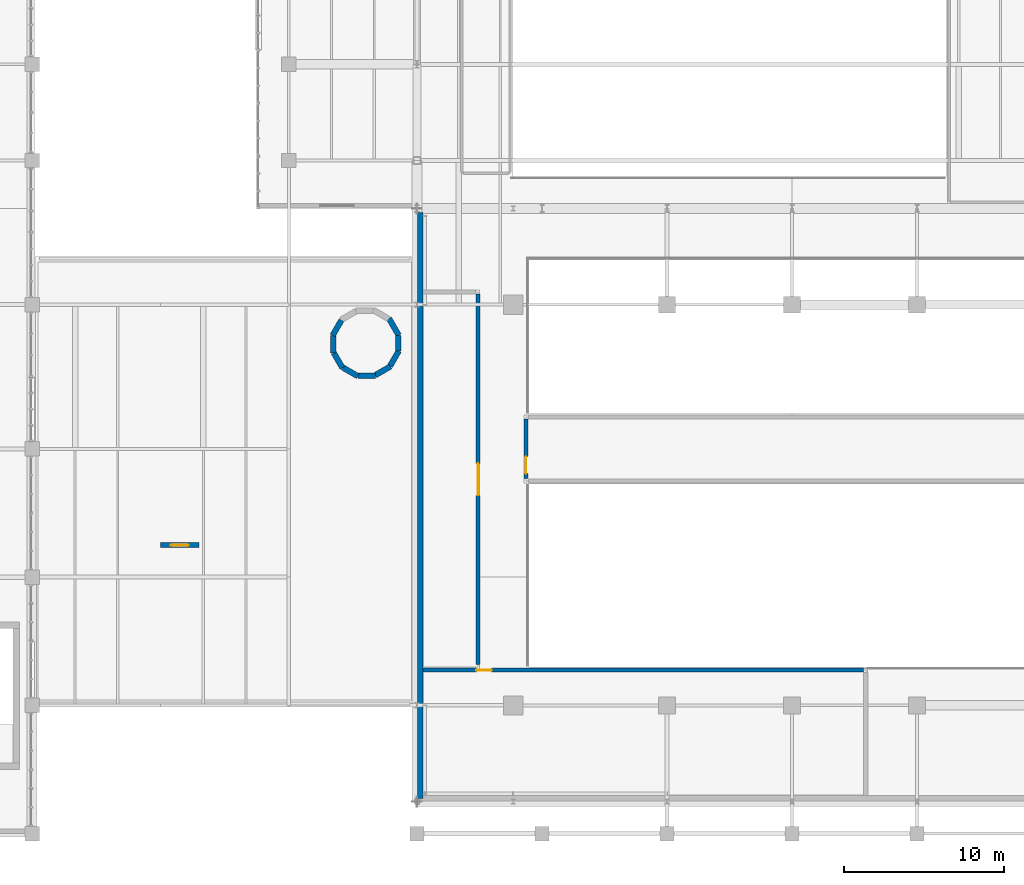
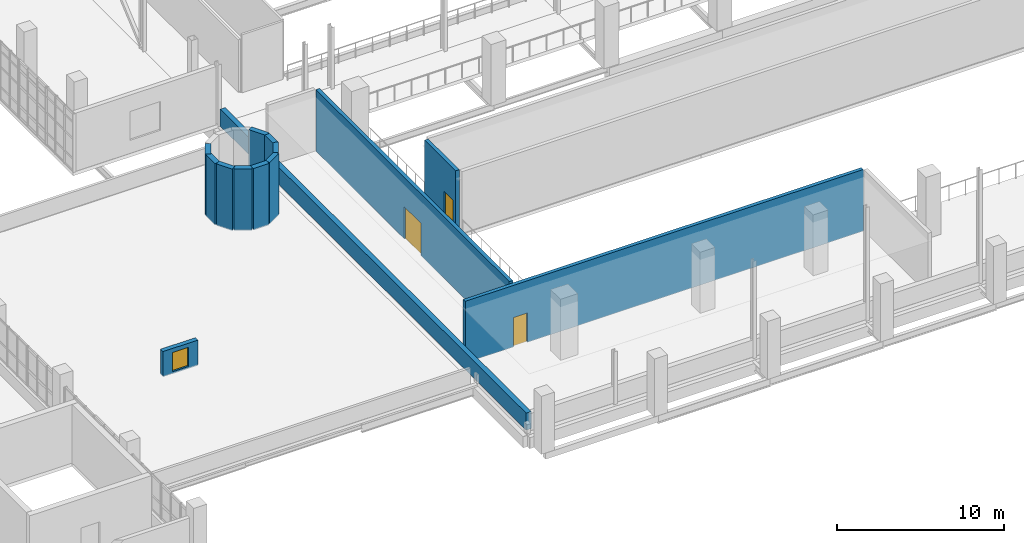
# One storey, part 74 of 85: 14 walls, 4 doors, 4 openings.
"""IFC4 building model written with IfcOpenShell, lengths in metres."""

import ifcopenshell
import ifcopenshell.guid

model = None  # the IFC model being written
_history = None  # IfcOwnerHistory: only IFC2X3 demands one
_inside = {}  # id of a spatial element -> (the spatial element, [elements in it])
_under = {}  # id of a project, library or spatial element -> (it, [spatial elements below it])
_declared = {}  # id of a project -> (the project, [libraries it declares])
_typed = {}  # id of a type object -> (the type object, [elements of that type])
_made_of = {}  # id of a material, layer set ... -> (it, [elements and type objects made of it])


def new_model(schema):
    """Start an empty IFC model of exactly this schema.

    Asked for "IFC4X3", IfcOpenShell would pick the latest addendum, in which some entities
    have other attributes; the version numbers below select the first issue.
    IFC2X3 requires an IfcOwnerHistory on every rooted entity: one is made here for all.
    """
    global model, _history
    if schema == "IFC4X3":
        model = ifcopenshell.file(schema_version=(4, 3, 0, 0))
    else:
        model = ifcopenshell.file(schema=schema)
    _inside.clear()
    _under.clear()
    _declared.clear()
    _typed.clear()
    _made_of.clear()
    _history = None
    if model.schema == "IFC2X3":
        org = make("IfcOrganization", Name="unknown")
        user = make(
            "IfcPersonAndOrganization",
            ThePerson=make("IfcPerson", FamilyName="unknown"),
            TheOrganization=org,
        )
        app = make(
            "IfcApplication",
            ApplicationDeveloper=org,
            Version="unknown",
            ApplicationFullName="unknown",
            ApplicationIdentifier="unknown",
        )
        _history = make(
            "IfcOwnerHistory",
            OwningUser=user,
            OwningApplication=app,
            ChangeAction="ADDED",
            CreationDate=0,
        )
    return model


def make(cls, **values):
    """One entity of the class cls with the attributes given. An attribute that is None is left unset."""
    return model.create_entity(
        cls, **{name: value for name, value in values.items() if value is not None}
    )


def rooted(cls, **values):
    """An entity with a GlobalId (a new one), such as an element, a storey or a relation."""
    return make(cls, GlobalId=ifcopenshell.guid.new(), OwnerHistory=_history, **values)


def si_unit(unit_type, name, prefix=None):
    """IfcSIUnit, for example si_unit("LENGTHUNIT", "METRE", prefix="MILLI")."""
    return make("IfcSIUnit", UnitType=unit_type, Prefix=prefix, Name=name)


def derived_unit(unit_type, elements):
    """IfcDerivedUnit: a product of units, each with its exponent."""
    return make(
        "IfcDerivedUnit",
        Elements=[
            make("IfcDerivedUnitElement", Unit=unit, Exponent=power)
            for unit, power in elements
        ],
        UnitType=unit_type,
    )


def assignment(units):
    """IfcUnitAssignment: the units of a project."""
    return None if units is None else make("IfcUnitAssignment", Units=units)


def point(xyz):
    """IfcCartesianPoint."""
    return None if xyz is None else make("IfcCartesianPoint", Coordinates=xyz)


def direction(xyz):
    """IfcDirection."""
    return None if xyz is None else make("IfcDirection", DirectionRatios=xyz)


def frame(location, z_axis=None, x_axis=None):
    """IfcAxis2Placement3D, a coordinate frame: its origin and axes. An axis left out is left unset."""
    return make(
        "IfcAxis2Placement3D",
        Location=point(location),
        Axis=direction(z_axis),
        RefDirection=direction(x_axis),
    )


def frame_2d(location, x_axis=None):
    """IfcAxis2Placement2D, a coordinate frame in the plane: its origin and x axis."""
    return make(
        "IfcAxis2Placement2D", Location=point(location), RefDirection=direction(x_axis)
    )


def origin():
    """The frame at (0, 0, 0) with its axes left unset."""
    return frame((0.0, 0.0, 0.0))


def place(relative_to, where):
    """IfcLocalPlacement: puts the frame where relative to a parent placement (None: the world)."""
    return make(
        "IfcLocalPlacement", PlacementRelTo=relative_to, RelativePlacement=where
    )


def context(
    kind, dimensions, precision=None, world=None, true_north=None, identifier=None
):
    """IfcGeometricRepresentationContext, for example the 3D "Model" context."""
    return make(
        "IfcGeometricRepresentationContext",
        ContextIdentifier=identifier,
        ContextType=kind,
        CoordinateSpaceDimension=dimensions,
        Precision=precision,
        WorldCoordinateSystem=world,
        TrueNorth=true_north,
    )


def subcontext(parent, identifier, kind, view, scale=None):
    """IfcGeometricRepresentationSubContext, for example "Body" below "Model"."""
    return make(
        "IfcGeometricRepresentationSubContext",
        ContextIdentifier=identifier,
        ContextType=kind,
        ParentContext=parent,
        TargetScale=scale,
        TargetView=view,
    )


def project(units=None, contexts=None):
    """IfcProject with its units and contexts."""
    return rooted(
        "IfcProject",
        Name="project",
        RepresentationContexts=contexts,
        UnitsInContext=assignment(units),
    )


def spatial(cls, under=None, at=None, **own):
    """A site, building, storey or space (cls), placed at a placement, below another one or the project."""
    s = rooted(cls, ObjectPlacement=at, **own)
    if under is not None:
        _under.setdefault(under.id(), (under, []))[1].append(s)
    return s


def profile(cls, at=None, kind="AREA", **sizes):
    """A parametric profile (cls). Its sizes go by their IFC names, for example OverallWidth=200.0."""
    return make(cls, ProfileType=kind, Position=at, **sizes)


def rectangle(**sizes):
    """IfcRectangleProfileDef."""
    return profile("IfcRectangleProfileDef", **sizes)


def extrude(swept, where, along, depth):
    """IfcExtrudedAreaSolid: the profile swept, set in the frame where, extruded along a direction by depth."""
    return make(
        "IfcExtrudedAreaSolid",
        SweptArea=swept,
        Position=where,
        ExtrudedDirection=direction(along),
        Depth=depth,
    )


def shape(context_of_items, identifier, shape_type, items):
    """IfcShapeRepresentation: the items that make up one representation, for example the "Body"."""
    return make(
        "IfcShapeRepresentation",
        ContextOfItems=context_of_items,
        RepresentationIdentifier=identifier,
        RepresentationType=shape_type,
        Items=items,
    )


def material(Name=None, Category=None):
    """IfcMaterial."""
    return make("IfcMaterial", Name=Name, Category=Category)


def layer(
    of_material, thickness, ventilated=None, Name=None, Category=None, Priority=None
):
    """IfcMaterialLayer: one layer of a wall or slab, of a material (None: an air gap)."""
    return make(
        "IfcMaterialLayer",
        Material=of_material,
        LayerThickness=thickness,
        IsVentilated=ventilated,
        Name=Name,
        Category=Category,
        Priority=Priority,
    )


def layer_set(layers, Name=None):
    """IfcMaterialLayerSet."""
    return make("IfcMaterialLayerSet", MaterialLayers=layers, LayerSetName=Name)


def made_of(thing, what):
    """Note that an element or type object is made of a material, layer set ...; save() writes the relation."""
    if what is not None:
        _made_of.setdefault(what.id(), (what, []))[1].append(thing)
    return thing


def type_object(cls, material=None, **own):
    """A type object (cls), such as IfcWallType, which elements share."""
    return made_of(rooted(cls, **own), material)


def element(
    cls,
    number,
    at=None,
    inside=None,
    cuts=None,
    type_object=None,
    material=None,
    context=None,
    identifier="Body",
    shape_type=None,
    held_by="IfcProductDefinitionShape",
    body=None,
    shapes=None,
    **own,
):
    """One element of the class cls, such as IfcWall. Its Tag is "e" and its number.

    at: its placement. inside: the storey or other place that contains it. cuts: it is an
    opening in that element (IfcRelVoidsElement). A single representation is given by context,
    identifier, shape_type and body (its items); several are given by shapes. held_by: the class
    of the entity that holds the representations. save() writes the other relations.
    """
    e = rooted(cls, Tag="e%d" % number, ObjectPlacement=at, **own)
    if body is not None:
        shapes = [shape(context, identifier, shape_type, body)]
    if shapes is not None:
        e.Representation = make(held_by, Representations=shapes)
    if inside is not None:
        _inside.setdefault(inside.id(), (inside, []))[1].append(e)
    if cuts is not None:
        rooted(
            "IfcRelVoidsElement", RelatingBuildingElement=cuts, RelatedOpeningElement=e
        )
    if type_object is not None:
        _typed.setdefault(type_object.id(), (type_object, []))[1].append(e)
    return made_of(e, material)


def fill(opening, filler):
    """IfcRelFillsElement: the door or window that sits in an opening."""
    return rooted(
        "IfcRelFillsElement",
        RelatingOpeningElement=opening,
        RelatedBuildingElement=filler,
    )


def aggregate(whole, parts):
    """IfcRelAggregates: a whole, such as a stair, and the parts it consists of."""
    return rooted("IfcRelAggregates", RelatingObject=whole, RelatedObjects=parts)


def save(model, path):
    """Write the relations noted so far, then the file.

    IfcRelAggregates (storeys below a building ...), IfcRelContainedInSpatialStructure (elements
    in a storey), IfcRelDefinesByType, IfcRelAssociatesMaterial and IfcRelDeclares: one each for
    every whole, place, type object, material and project.
    """
    for whole, parts in _under.values():
        aggregate(whole, parts)
    for where, things in _inside.values():
        rooted(
            "IfcRelContainedInSpatialStructure",
            RelatedElements=things,
            RelatingStructure=where,
        )
    for kind, things in _typed.values():
        rooted("IfcRelDefinesByType", RelatedObjects=things, RelatingType=kind)
    for what, things in _made_of.values():
        rooted("IfcRelAssociatesMaterial", RelatedObjects=things, RelatingMaterial=what)
    for by, libraries in _declared.values():
        rooted("IfcRelDeclares", RelatingContext=by, RelatedDefinitions=libraries)
    model.write(path)


model = new_model("IFC4")

# Units and contexts
model_context = context("Model", 3, precision=1e-05, world=origin(), true_north=direction((0.0, 1.0)))
body_context = subcontext(model_context, "Body", "Model", "MODEL_VIEW")
ifc_project = project(units=[si_unit("LENGTHUNIT", "METRE"), si_unit("AREAUNIT", "SQUARE_METRE"), si_unit("VOLUMEUNIT", "CUBIC_METRE"), si_unit("PLANEANGLEUNIT", "RADIAN"), si_unit("MASSUNIT", "GRAM", prefix="KILO"), derived_unit("THERMALTRANSMITTANCEUNIT", [(si_unit("POWERUNIT", "WATT"), 1), (si_unit("LENGTHUNIT", "METRE"), -2), (si_unit("THERMODYNAMICTEMPERATUREUNIT", "KELVIN"), -1)])], contexts=[model_context])

# Site, building, storey
site_placement = place(None, origin())
site = spatial("IfcSite", under=ifc_project, at=site_placement, CompositionType="ELEMENT")
building_placement = place(site_placement, origin())
building = spatial("IfcBuilding", under=site, at=building_placement, Name="Nallur Shell Playhouse", CompositionType="ELEMENT")
storey_placement = place(building_placement, frame((0.0, 0.0, 19.800048828125)))
storey = spatial("IfcBuildingStorey", under=building, at=storey_placement, Name="L05", CompositionType="ELEMENT", Elevation=19.800048828125)

# Walls
ifc_material_1 = material(Name="Concrete M45", Category="concrete")
ifc_layer_1 = layer(ifc_material_1, 0.39990234375)
ifc_layer_set_1 = layer_set([ifc_layer_1], Name="Concrete M45")
wall_type_1 = type_object("IfcWallType", Name="WL-CORE-400", PredefinedType="SHEAR", material=ifc_layer_set_1)
wall_1_placement = place(storey_placement, frame((62.861328125, 39.08642578125, 0.0), z_axis=(0.0, 0.0, 1.0), x_axis=(-0.499930512259, 0.866065518833, 0.0)))
element("IfcWall", 1, at=wall_1_placement, inside=storey, type_object=wall_type_1, Name="Metabolist service drum DR-1 facet 1 (L05)", PredefinedType="SHEAR", context=body_context, shape_type="SweptSolid", body=[
    extrude(rectangle(XDim=1.218994140625, YDim=0.35009765625, at=frame_2d((0.609375, 0.0))), origin(), (0.0, 0.0, 1.0), 4.5),
])
for number, where, z_axis, x_axis, name in (
    (2, (59.28515625, 40.032958984375, 0.0), (0.0, 0.0, 1.0), (-0.500102687236, -0.865966109163, 0.0), "Metabolist service drum DR-1 facet 5 (L05)"),
    (3, (58.771484375, 39.08349609375, 0.0), (0.0, 0.0, 1.0), (0.0, -1.0, 0.0), "Metabolist service drum DR-1 facet 6 (L05)"),
    (4, (58.801513671875, 38.00439453125, 0.0), (0.0, 0.0, 1.0), (0.500102687236, -0.865966109163, 0.0), "Metabolist service drum DR-1 facet 7 (L05)"),
):
    element("IfcWall", number, at=place(storey_placement, frame(where, z_axis=z_axis, x_axis=x_axis)), inside=storey, type_object=wall_type_1, Name=name, PredefinedType="SHEAR", context=body_context, shape_type="SweptSolid", body=[
        extrude(rectangle(XDim=1.093017578125, YDim=0.35009765625, at=frame_2d((0.54638671875, 0.0))), origin(), (0.0, 0.0, 1.0), 4.5),
    ])
wall_2_placement = place(storey_placement, frame((59.366943359375, 37.085205078125, 0.0), z_axis=(0.0, 0.0, 1.0), x_axis=(0.866021955858, -0.500005971936, 0.0)))
element("IfcWall", 5, at=wall_2_placement, inside=storey, type_object=wall_type_1, Name="Metabolist service drum DR-1 facet 8 (L05)", PredefinedType="SHEAR", context=body_context, shape_type="SweptSolid", body=[
    extrude(rectangle(XDim=1.09326171875, YDim=0.35009765625, at=frame_2d((0.546630859375, 0.0))), origin(), (0.0, 0.0, 1.0), 4.5),
])
for number, where, z_axis, x_axis, name in (
    (6, (60.31640625, 36.571533203125, 0.0), (0.0, 0.0, 1.0), (1.0, 0.0, 0.0), "Metabolist service drum DR-1 facet 9 (L05)"),
    (7, (61.3955078125, 36.6015625, 0.0), (0.0, 0.0, 1.0), (0.865966109163, 0.500102687236, 0.0), "Metabolist service drum DR-1 facet 10 (L05)"),
    (8, (62.31494140625, 37.1669921875, 0.0), (0.0, 0.0, 1.0), (0.499935162227, 0.866062834654, 0.0), "Metabolist service drum DR-1 facet 11 (L05)"),
):
    element("IfcWall", number, at=place(storey_placement, frame(where, z_axis=z_axis, x_axis=x_axis)), inside=storey, type_object=wall_type_1, Name=name, PredefinedType="SHEAR", context=body_context, shape_type="SweptSolid", body=[
        extrude(rectangle(XDim=1.093017578125, YDim=0.35009765625, at=frame_2d((0.54638671875, 0.0))), origin(), (0.0, 0.0, 1.0), 4.5),
    ])
wall_3_placement = place(storey_placement, frame((62.828369140625, 38.116455078125, 0.0), z_axis=(0.0, 0.0, 1.0), x_axis=(0.0, 1.0, 0.0)))
element("IfcWall", 9, at=wall_3_placement, inside=storey, type_object=wall_type_1, Name="Metabolist service drum DR-1 facet 12 (L05)", PredefinedType="SHEAR", context=body_context, shape_type="SweptSolid", body=[
    extrude(rectangle(XDim=0.967041015625, YDim=0.35009765625, at=frame_2d((0.4833984375, 0.0))), origin(), (0.0, 0.0, 1.0), 4.5),
])
ifc_material_2 = material(Name="Concrete M35", Category="concrete")
ifc_layer_2 = layer(ifc_material_2, 0.35009765625)
ifc_layer_set_2 = layer_set([ifc_layer_2], Name="Concrete M35")
wall_type_2 = type_object("IfcWallType", Name="WL-EXT-AC350", PredefinedType="STANDARD", material=ifc_layer_set_2)
wall_4_placement = place(storey_placement, frame((64.195068359375, 10.18505859375, 0.0), z_axis=(0.0, 0.0, 1.0), x_axis=(0.0, 1.0, 0.0)))
element("IfcWall", 10, at=wall_4_placement, inside=storey, type_object=wall_type_2, Name="L05 exterior wall EW-L05-225", PredefinedType="STANDARD", context=body_context, shape_type="SweptSolid", body=[
    extrude(rectangle(XDim=36.58203125, YDim=0.35009765625, at=frame_2d((18.291015625, 0.0))), origin(), (0.0, 0.0, 1.0), 1.25),
])

# Wall, opening, door
ifc_layer_3 = layer(ifc_material_2, 0.300048828125)
ifc_layer_set_3 = layer_set([ifc_layer_3], Name="Concrete M35")
wall_type_3 = type_object("IfcWallType", Name="WL-EXT-RC300", PredefinedType="STANDARD", material=ifc_layer_set_3)
wall_5_placement = place(storey_placement, frame((48.0, 26.0, 0.0), z_axis=(0.0, 0.0, 1.0), x_axis=(1.0, 0.0, 0.0)))
wall_5 = element("IfcWall", 11, at=wall_5_placement, inside=storey, type_object=wall_type_3, Name="L05 roof access hatch bulkhead wall 03", PredefinedType="STANDARD", context=body_context, shape_type="SweptSolid", body=[
    extrude(rectangle(XDim=2.39990234375, YDim=0.300048828125, at=frame_2d((1.199951171875, 0.0))), origin(), (0.0, 0.0, 1.0), 1.849853515625),
])
opening_1_placement = place(wall_5_placement, frame((0.64990234375, 0.0, 0.14990234375)))
opening_1 = element("IfcOpeningElement", 12, at=opening_1_placement, cuts=wall_5, Name="Opening RH-01", PredefinedType="OPENING", context=body_context, shape_type="SweptSolid", body=[
    extrude(rectangle(XDim=1.10009765625, YDim=1.39990234375, at=frame_2d((0.550048828125, 0.699951171875))), frame((0.0, 0.16015625, 0.0), z_axis=(0.0, -1.0, 0.0), x_axis=(1.0, 0.0, 0.0)), (0.0, 0.0, 1.0), 0.320068359375),
])
ifc_material_3 = material(Name="Insulated Weatherproof Roof Access Hatch Door")
door_type_1 = type_object("IfcDoorType", Name="DR-ROOF-HATCH", OperationType="SINGLE_SWING_LEFT", PredefinedType="TRAPDOOR", material=ifc_material_3)
door_1_placement = place(opening_1_placement, origin())
door_1 = element("IfcDoor", 13, at=door_1_placement, inside=storey, type_object=door_type_1, Name="Roof access trapdoor hatch RH-03", OperationType="SINGLE_SWING_LEFT", OverallHeight=1.39990234375, OverallWidth=1.10009765625, PredefinedType="TRAPDOOR", context=body_context, shape_type="SweptSolid", body=[
    extrude(rectangle(XDim=1.10009765625, YDim=1.39990234375, at=frame_2d((0.550048828125, 0.699951171875))), frame((0.0, 0.02490234375, 0.0), z_axis=(0.0, -1.0, 0.0), x_axis=(1.0, 0.0, 0.0)), (0.0, 0.0, 1.0), 0.050048828125),
])
fill(opening_1, door_1)

ifc_material_4 = material(Name="Concrete M30", Category="concrete")
ifc_layer_4 = layer(ifc_material_4, 0.25)
ifc_layer_set_4 = layer_set([ifc_layer_4], Name="Concrete M30")
wall_type_4 = type_object("IfcWallType", Name="WL-PART-AC250", PredefinedType="PARTITIONING", material=ifc_layer_set_4)
wall_6_placement = place(storey_placement, frame((70.800048828125, 30.14501953125, 0.0), z_axis=(0.0, 0.0, 1.0), x_axis=(0.0, 1.0, 0.0)))
wall_6 = element("IfcWall", 14, at=wall_6_placement, inside=storey, type_object=wall_type_4, Name="Main Theatre Acoustic Ceiling & Front-of-House Lighting Bridge partition IW-L05-0350", PredefinedType="PARTITIONING", context=body_context, shape_type="SweptSolid", body=[
    extrude(rectangle(XDim=3.7099609375, YDim=0.25, at=frame_2d((1.85498046875, 0.0))), origin(), (0.0, 0.0, 1.0), 4.5),
])
opening_2_placement = place(wall_6_placement, frame((0.319091796875, 0.0, 0.0)))
opening_2 = element("IfcOpeningElement", 15, at=opening_2_placement, cuts=wall_6, Name="Opening ID-02", PredefinedType="OPENING", context=body_context, shape_type="SweptSolid", body=[
    extrude(rectangle(XDim=1.050048828125, YDim=2.14990234375, at=frame_2d((0.52490234375, 1.074951171875))), frame((0.0, 0.135009765625, 0.0), z_axis=(0.0, -1.0, 0.0), x_axis=(1.0, 0.0, 0.0)), (0.0, 0.0, 1.0), 0.27001953125),
])
ifc_material_5 = material(Name="Solid-Core Engineered Timber Fire Door", Category="wood")
door_type_2 = type_object("IfcDoorType", Name="DR-INT-SGL1050R", OperationType="SINGLE_SWING_RIGHT", PredefinedType="DOOR", material=ifc_material_5)
door_2_placement = place(opening_2_placement, origin())
door_2 = element("IfcDoor", 16, at=door_2_placement, inside=storey, type_object=door_type_2, Name="Main Theatre Acoustic Ceiling & Front-of-House Lighting Bridge door 1", OperationType="SINGLE_SWING_RIGHT", OverallHeight=2.14990234375, OverallWidth=1.050048828125, PredefinedType="DOOR", context=body_context, shape_type="SweptSolid", body=[
    extrude(rectangle(XDim=1.050048828125, YDim=2.14990234375, at=frame_2d((0.52490234375, 1.074951171875))), frame((0.0, 0.02490234375, 0.0), z_axis=(0.0, -1.0, 0.0), x_axis=(1.0, 0.0, 0.0)), (0.0, 0.0, 1.0), 0.050048828125),
])
fill(opening_2, door_2)

wall_7_placement = place(storey_placement, frame((64.3740234375, 18.199951171875, 0.0), z_axis=(0.0, 0.0, 1.0), x_axis=(1.0, 0.0, 0.0)))
wall_7 = element("IfcWall", 17, at=wall_7_placement, inside=storey, type_object=wall_type_4, Name="Main Auditorium Displacement Supply AHU Plant partition IW-L05-0377", PredefinedType="PARTITIONING", context=body_context, shape_type="SweptSolid", body=[
    extrude(rectangle(XDim=27.48095703125, YDim=0.25, at=frame_2d((13.740478515625, 0.0))), origin(), (0.0, 0.0, 1.0), 4.5),
])
opening_3_placement = place(wall_7_placement, frame((3.333984375, 0.0, 0.0)))
opening_3 = element("IfcOpeningElement", 18, at=opening_3_placement, cuts=wall_7, Name="Opening ID-04", PredefinedType="OPENING", context=body_context, shape_type="SweptSolid", body=[
    extrude(rectangle(XDim=0.949951171875, YDim=2.14990234375, at=frame_2d((0.47509765625, 1.074951171875))), frame((0.0, 0.135009765625, 0.0), z_axis=(0.0, -1.0, 0.0), x_axis=(1.0, 0.0, 0.0)), (0.0, 0.0, 1.0), 0.27001953125),
])
ifc_material_6 = material(Name="Solid-Core Engineered Timber Door", Category="wood")
door_type_3 = type_object("IfcDoorType", Name="DR-INT-SGL950R", OperationType="SINGLE_SWING_RIGHT", PredefinedType="DOOR", material=ifc_material_6)
door_3_placement = place(opening_3_placement, origin())
door_3 = element("IfcDoor", 19, at=door_3_placement, inside=storey, type_object=door_type_3, Name="Main Auditorium Displacement Supply AHU Plant door 1", OperationType="SINGLE_SWING_RIGHT", OverallHeight=2.14990234375, OverallWidth=0.949951171875, PredefinedType="DOOR", context=body_context, shape_type="SweptSolid", body=[
    extrude(rectangle(XDim=0.949951171875, YDim=2.14990234375, at=frame_2d((0.47509765625, 1.074951171875))), frame((0.0, 0.02490234375, 0.0), z_axis=(0.0, -1.0, 0.0), x_axis=(1.0, 0.0, 0.0)), (0.0, 0.0, 1.0), 0.050048828125),
])
fill(opening_3, door_3)

wall_8_placement = place(storey_placement, frame((67.800048828125, 41.655029296875, 0.0), z_axis=(0.0, 0.0, 1.0), x_axis=(0.0, -1.0, 0.0)))
wall_8 = element("IfcWall", 20, at=wall_8_placement, inside=storey, type_object=wall_type_4, Name="Main Auditorium Acoustic Cloud & Winch Gallery partition IW-L05-0380", PredefinedType="PARTITIONING", context=body_context, shape_type="SweptSolid", body=[
    extrude(rectangle(XDim=23.110107421875, YDim=0.25, at=frame_2d((11.55517578125, 0.0))), origin(), (0.0, 0.0, 1.0), 4.5),
])
opening_4_placement = place(wall_8_placement, frame((10.554931640625, 0.0, 0.0)))
opening_4 = element("IfcOpeningElement", 21, at=opening_4_placement, cuts=wall_8, Name="Opening AD-01", PredefinedType="OPENING", context=body_context, shape_type="SweptSolid", body=[
    extrude(rectangle(XDim=2.0, YDim=2.35009765625, at=frame_2d((1.0, 1.175048828125))), frame((0.0, 0.135009765625, 0.0), z_axis=(0.0, -1.0, 0.0), x_axis=(1.0, 0.0, 0.0)), (0.0, 0.0, 1.0), 0.27001953125),
])
ifc_material_7 = material(Name="Acoustic Timber Sound-Lock Double Door", Category="wood")
door_type_4 = type_object("IfcDoorType", Name="DR-INT-AUD-DBL", OperationType="DOUBLE_SWING_LEFT", PredefinedType="DOOR", material=ifc_material_7)
door_4_placement = place(opening_4_placement, origin())
door_4 = element("IfcDoor", 22, at=door_4_placement, inside=storey, type_object=door_type_4, Name="Main Auditorium Acoustic Cloud & Winch Gallery door 1", OperationType="DOUBLE_SWING_LEFT", OverallHeight=2.35009765625, OverallWidth=2.0, PredefinedType="DOOR", context=body_context, shape_type="SweptSolid", body=[
    extrude(rectangle(XDim=2.0, YDim=2.35009765625, at=frame_2d((1.0, 1.175048828125))), frame((0.0, 0.02490234375, 0.0), z_axis=(0.0, -1.0, 0.0), x_axis=(1.0, 0.0, 0.0)), (0.0, 0.0, 1.0), 0.050048828125),
])
fill(opening_4, door_4)

save(model, "model.ifc")
